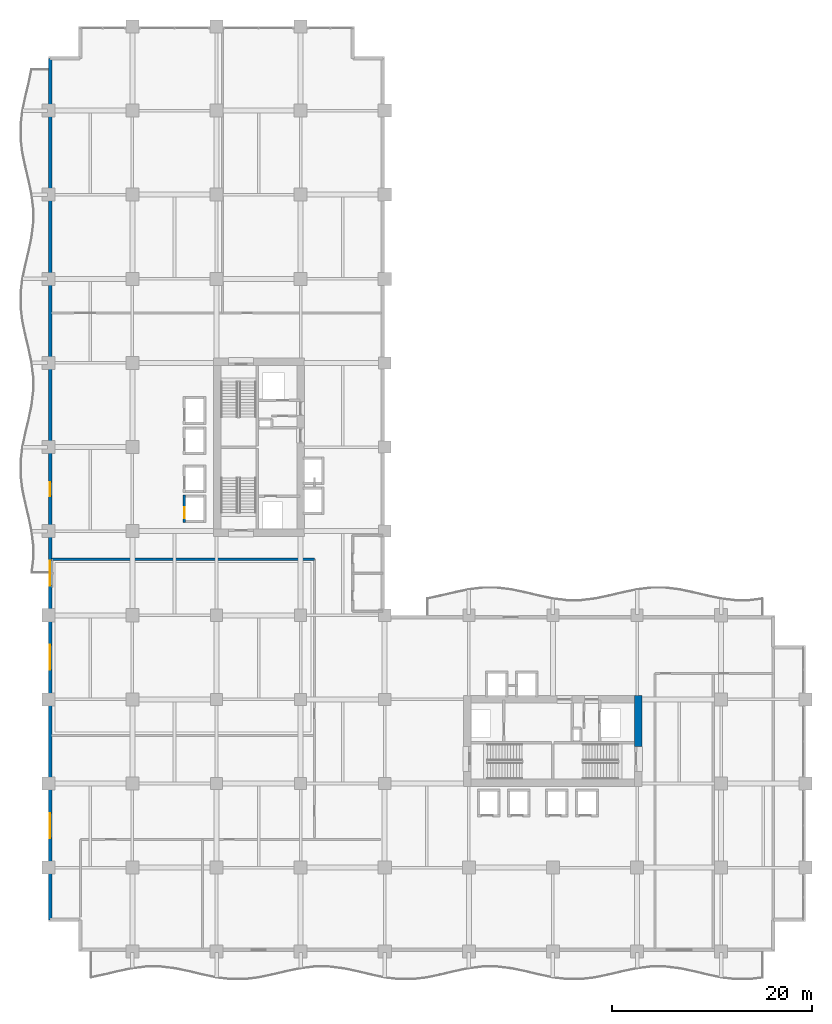
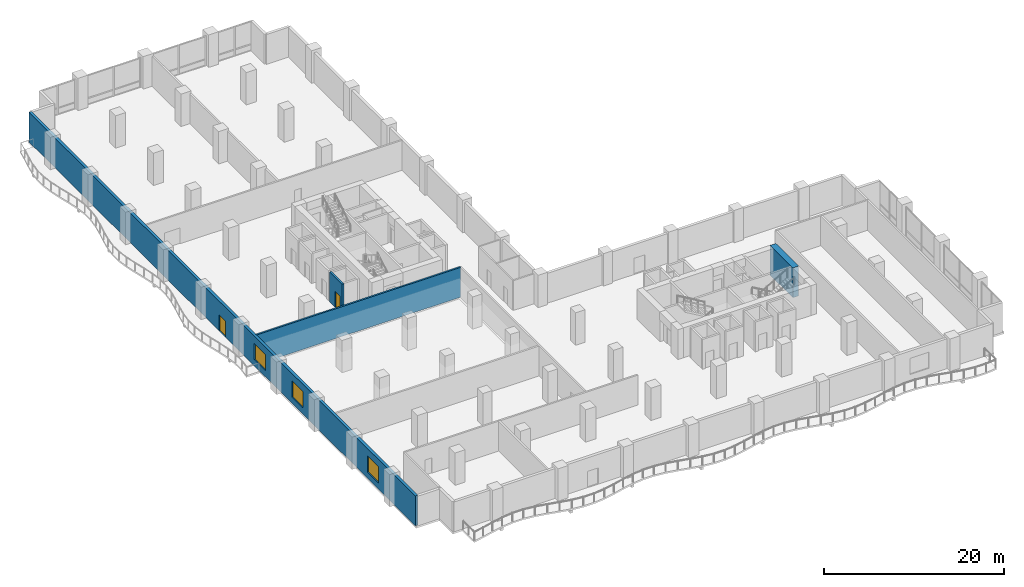
# One storey, part 14 of 24: 4 walls, 3 windows, 2 doors, 5 openings.
"""IFC4 building model written with IfcOpenShell, lengths in metres."""

from ifc_helpers import new_model, si_unit, direction, frame, frame_2d, origin, place, context, subcontext, project, spatial, rectangle, extrude, material, layer, layer_set, type_object, element, fill, save


model = new_model("IFC4")

# Units and contexts
model_context = context("Model", 3, precision=1e-05, world=origin(), true_north=direction((0.0, 1.0)))
body_context = subcontext(model_context, "Body", "Model", "MODEL_VIEW")
ifc_project = project(units=[si_unit("LENGTHUNIT", "METRE"), si_unit("AREAUNIT", "SQUARE_METRE"), si_unit("VOLUMEUNIT", "CUBIC_METRE"), si_unit("PLANEANGLEUNIT", "RADIAN"), si_unit("MASSUNIT", "GRAM", prefix="KILO")], contexts=[model_context])

# Site, building, storey
site_placement = place(None, origin())
site = spatial("IfcSite", under=ifc_project, at=site_placement, CompositionType="ELEMENT")
building_placement = place(site_placement, origin())
building = spatial("IfcBuilding", under=site, at=building_placement, Name="Koriwani Terraces Tower", CompositionType="ELEMENT")
storey_placement = place(building_placement, frame((0.0, 0.0, 89.60009765625)))
storey = spatial("IfcBuildingStorey", under=building, at=storey_placement, Name="L21", CompositionType="ELEMENT", Elevation=89.60009765625)

# Walls
ifc_material_1 = material(Name="Concrete C60/75", Category="concrete")
ifc_layer_1 = layer(ifc_material_1, 0.75, Name="Concrete C60/75")
ifc_layer_set_1 = layer_set([ifc_layer_1], Name="Concrete C60/75")
wall_type_1 = type_object("IfcWallType", Name="WALL_CORE_RC_750", PredefinedType="SHEAR", material=ifc_layer_set_1)
wall_1_placement = place(storey_placement, frame((58.925048828125, 20.5, 0.0), z_axis=(0.0, 0.0, 1.0), x_axis=(0.0, 1.0, 0.0)))
element("IfcWall", 1, at=wall_1_placement, inside=storey, type_object=wall_type_1, Name="L21 East Split Core Shear Wall E2", PredefinedType="SHEAR", context=body_context, shape_type="SweptSolid", body=[
    extrude(rectangle(XDim=5.074951171875, YDim=0.75, at=frame_2d((2.53759765625, 0.0))), origin(), (0.0, 0.0, 1.0), 4.0498046875),
])
ifc_material_2 = material(Name="Autoclaved Cellular Concrete Blockwork", Category="masonry")
ifc_layer_2 = layer(ifc_material_2, 0.219970703125, Name="Autoclaved Cellular Concrete Blockwork")
ifc_layer_set_2 = layer_set([ifc_layer_2], Name="Autoclaved Cellular Concrete Blockwork")
wall_type_2 = type_object("IfcWallType", Name="WALL_DEMISING_220", PredefinedType="PARTITIONING", material=ifc_layer_set_2)
wall_2_placement = place(storey_placement, frame((0.300048828125, 39.199951171875, 0.0), z_axis=(0.0, 0.0, 1.0), x_axis=(1.0, 0.0, 0.0)))
element("IfcWall", 2, at=wall_2_placement, inside=storey, type_object=wall_type_2, Name="L21 Interior Wall WSKY-WMN-L21", PredefinedType="PARTITIONING", context=body_context, shape_type="SweptSolid", body=[
    extrude(rectangle(XDim=26.300048828125, YDim=0.219970703125, at=frame_2d((13.14990234375, 0.0))), origin(), (0.0, 0.0, 1.0), 4.0498046875),
])

# Wall, openings, door, windows
ifc_material_3 = material(Name="Concrete C50/60", Category="concrete")
ifc_layer_3 = layer(ifc_material_3, 0.35009765625, Name="Concrete C50/60")
ifc_layer_set_3 = layer_set([ifc_layer_3], Name="Concrete C50/60")
wall_type_3 = type_object("IfcWallType", Name="WALL_EXT_BRUTALIST_350", PredefinedType="STANDARD", material=ifc_layer_set_3)
wall_3_placement = place(storey_placement, frame((0.175048828125, 3.175048828125, 0.0), z_axis=(0.0, 0.0, 1.0), x_axis=(0.0, 1.0, 0.0)))
wall_3 = element("IfcWall", 3, at=wall_3_placement, inside=storey, type_object=wall_type_3, Name="L21 Fair-Faced Brutalist Exterior Wall (W)", PredefinedType="STANDARD", context=body_context, shape_type="SweptSolid", body=[
    extrude(rectangle(XDim=86.050048828125, YDim=0.35009765625, at=frame_2d((43.02490234375, 0.0))), origin(), (0.0, 0.0, 1.0), 4.0498046875),
])
opening_1_placement = place(wall_3_placement, frame((42.324951171875, 0.0, 0.0)))
opening_1 = element("IfcOpeningElement", 4, at=opening_1_placement, cuts=wall_3, Name="Opening D-09", PredefinedType="OPENING", context=body_context, shape_type="SweptSolid", body=[
    extrude(rectangle(XDim=1.39990234375, YDim=2.199951171875, at=frame_2d((0.699951171875, 1.10009765625))), frame((0.0, 0.18505859375, 0.0), z_axis=(0.0, -1.0, 0.0), x_axis=(1.0, 0.0, 0.0)), (0.0, 0.0, 1.0), 0.3701171875),
])
opening_2_placement = place(wall_3_placement, frame((8.175048828125, 0.0, 0.85009765625)))
opening_2 = element("IfcOpeningElement", 5, at=opening_2_placement, cuts=wall_3, Name="Opening W-07", PredefinedType="OPENING", context=body_context, shape_type="SweptSolid", body=[
    extrude(rectangle(XDim=2.5, YDim=2.199951171875, at=frame_2d((1.25, 1.10009765625))), frame((0.0, 0.18505859375, 0.0), z_axis=(0.0, -1.0, 0.0), x_axis=(1.0, 0.0, 0.0)), (0.0, 0.0, 1.0), 0.3701171875),
])
opening_3_placement = place(wall_3_placement, frame((24.97509765625, 0.0, 0.85009765625)))
opening_3 = element("IfcOpeningElement", 6, at=opening_3_placement, cuts=wall_3, Name="Opening W-07", PredefinedType="OPENING", context=body_context, shape_type="SweptSolid", body=[
    extrude(rectangle(XDim=2.5, YDim=2.199951171875, at=frame_2d((1.25, 1.10009765625))), frame((0.0, 0.18505859375, 0.0), z_axis=(0.0, -1.0, 0.0), x_axis=(1.0, 0.0, 0.0)), (0.0, 0.0, 1.0), 0.3701171875),
])
opening_4_placement = place(wall_3_placement, frame((33.375, 0.0, 0.85009765625)))
opening_4 = element("IfcOpeningElement", 7, at=opening_4_placement, cuts=wall_3, Name="Opening W-07", PredefinedType="OPENING", context=body_context, shape_type="SweptSolid", body=[
    extrude(rectangle(XDim=2.5, YDim=2.199951171875, at=frame_2d((1.25, 1.10009765625))), frame((0.0, 0.18505859375, 0.0), z_axis=(0.0, -1.0, 0.0), x_axis=(1.0, 0.0, 0.0)), (0.0, 0.0, 1.0), 0.3701171875),
])
ifc_material_4 = material(Name="Anodised Bronze Aluminium", Category="aluminium")
door_type_1 = type_object("IfcDoorType", Name="DOOR_BALCONY_GLAZED_1400X2200", OperationType="NOTDEFINED", PredefinedType="DOOR", material=ifc_material_4)
door_1_placement = place(opening_1_placement, origin())
door_1 = element("IfcDoor", 8, at=door_1_placement, inside=storey, type_object=door_type_1, Name="L21 West Balcony Glazed Door", OperationType="SINGLE_SWING_LEFT", OverallHeight=2.199951171875, OverallWidth=1.39990234375, PredefinedType="DOOR", context=body_context, shape_type="SweptSolid", body=[
    extrude(rectangle(XDim=1.39990234375, YDim=2.199951171875, at=frame_2d((0.699951171875, 1.10009765625))), frame((0.0, 0.02490234375, 0.0), z_axis=(0.0, -1.0, 0.0), x_axis=(1.0, 0.0, 0.0)), (0.0, 0.0, 1.0), 0.050048828125),
])
fill(opening_1, door_1)
ifc_material_5 = material(Name="Tempered Laminated Low-E Glass", Category="glass")
window_type = type_object("IfcWindowType", Name="WIN_SKY_LOUNGE_2500X2200", PartitioningType="SINGLE_PANEL", PredefinedType="WINDOW", material=ifc_material_5)
window_1_placement = place(opening_2_placement, origin())
window_1 = element("IfcWindow", 9, at=window_1_placement, inside=storey, type_object=window_type, Name="L21 Exterior Window (W-3)", OverallHeight=2.199951171875, OverallWidth=2.5, PartitioningType="SINGLE_PANEL", PredefinedType="WINDOW", context=body_context, shape_type="SweptSolid", body=[
    extrude(rectangle(XDim=2.5, YDim=2.199951171875, at=frame_2d((1.25, 1.10009765625))), frame((0.0, 0.030029296875, 0.0), z_axis=(0.0, -1.0, 0.0), x_axis=(1.0, 0.0, 0.0)), (0.0, 0.0, 1.0), 0.06005859375),
])
fill(opening_2, window_1)
window_2_placement = place(opening_3_placement, origin())
window_2 = element("IfcWindow", 10, at=window_2_placement, inside=storey, type_object=window_type, Name="L21 Exterior Window (W-9)", OverallHeight=2.199951171875, OverallWidth=2.5, PartitioningType="SINGLE_PANEL", PredefinedType="WINDOW", context=body_context, shape_type="SweptSolid", body=[
    extrude(rectangle(XDim=2.5, YDim=2.199951171875, at=frame_2d((1.25, 1.10009765625))), frame((0.0, 0.030029296875, 0.0), z_axis=(0.0, -1.0, 0.0), x_axis=(1.0, 0.0, 0.0)), (0.0, 0.0, 1.0), 0.06005859375),
])
fill(opening_3, window_2)
window_3_placement = place(opening_4_placement, origin())
window_3 = element("IfcWindow", 11, at=window_3_placement, inside=storey, type_object=window_type, Name="L21 Exterior Window (W-12)", OverallHeight=2.199951171875, OverallWidth=2.5, PartitioningType="SINGLE_PANEL", PredefinedType="WINDOW", context=body_context, shape_type="SweptSolid", body=[
    extrude(rectangle(XDim=2.5, YDim=2.199951171875, at=frame_2d((1.25, 1.10009765625))), frame((0.0, 0.030029296875, 0.0), z_axis=(0.0, -1.0, 0.0), x_axis=(1.0, 0.0, 0.0)), (0.0, 0.0, 1.0), 0.06005859375),
])
fill(opening_4, window_3)

# Wall, opening, door
ifc_material_6 = material(Name="Concrete C40/50", Category="concrete")
ifc_layer_4 = layer(ifc_material_6, 0.25, Name="Concrete C40/50")
ifc_layer_set_4 = layer_set([ifc_layer_4], Name="Concrete C40/50")
wall_type_4 = type_object("IfcWallType", Name="WALL_SHAFT_RATED_250", PredefinedType="SOLIDWALL", material=ifc_layer_set_4)
wall_4_placement = place(storey_placement, frame((13.60009765625, 42.875, 0.0), z_axis=(0.0, 0.0, 1.0), x_axis=(0.0, 1.0, 0.0)))
wall_4 = element("IfcWall", 12, at=wall_4_placement, inside=storey, type_object=wall_type_4, Name="L21 Interior Wall WIN-LF-PE-L1-L21-F", PredefinedType="SOLIDWALL", context=body_context, shape_type="SweptSolid", body=[
    extrude(rectangle(XDim=2.75, YDim=0.25, at=frame_2d((1.375, 0.0))), origin(), (0.0, 0.0, 1.0), 4.0498046875),
])
opening_5_placement = place(wall_4_placement, frame((0.39990234375, 0.0, 0.0)))
opening_5 = element("IfcOpeningElement", 13, at=opening_5_placement, cuts=wall_4, Name="Opening LD-01", PredefinedType="OPENING", context=body_context, shape_type="SweptSolid", body=[
    extrude(rectangle(XDim=1.10009765625, YDim=2.14990234375, at=frame_2d((0.550048828125, 1.074951171875))), frame((0.0, 0.135009765625, 0.0), z_axis=(0.0, -1.0, 0.0), x_axis=(1.0, 0.0, 0.0)), (0.0, 0.0, 1.0), 0.27001953125),
])
ifc_material_7 = material(Name="Steel ASTM A572 Grade 50", Category="steel")
door_type_2 = type_object("IfcDoorType", Name="DOOR_LIFT_LANDING_1100X2200", OperationType="NOTDEFINED", PredefinedType="DOOR", material=ifc_material_7)
door_2_placement = place(opening_5_placement, origin())
door_2 = element("IfcDoor", 14, at=door_2_placement, inside=storey, type_object=door_type_2, Name="L21 Passenger Lift PE-L1 Landing Door", OperationType="SLIDING_TO_LEFT", OverallHeight=2.14990234375, OverallWidth=1.10009765625, PredefinedType="DOOR", context=body_context, shape_type="SweptSolid", body=[
    extrude(rectangle(XDim=1.10009765625, YDim=2.14990234375, at=frame_2d((0.550048828125, 1.074951171875))), frame((0.0, 0.02490234375, 0.0), z_axis=(0.0, -1.0, 0.0), x_axis=(1.0, 0.0, 0.0)), (0.0, 0.0, 1.0), 0.050048828125),
])
fill(opening_5, door_2)

save(model, "model.ifc")
